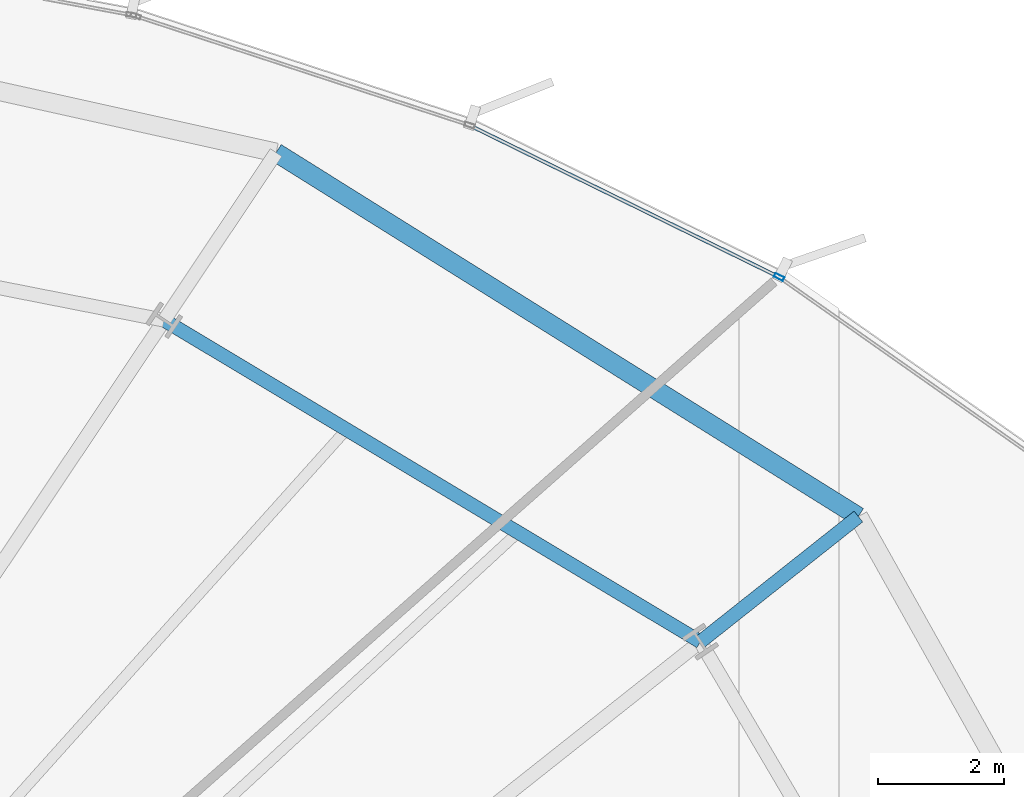
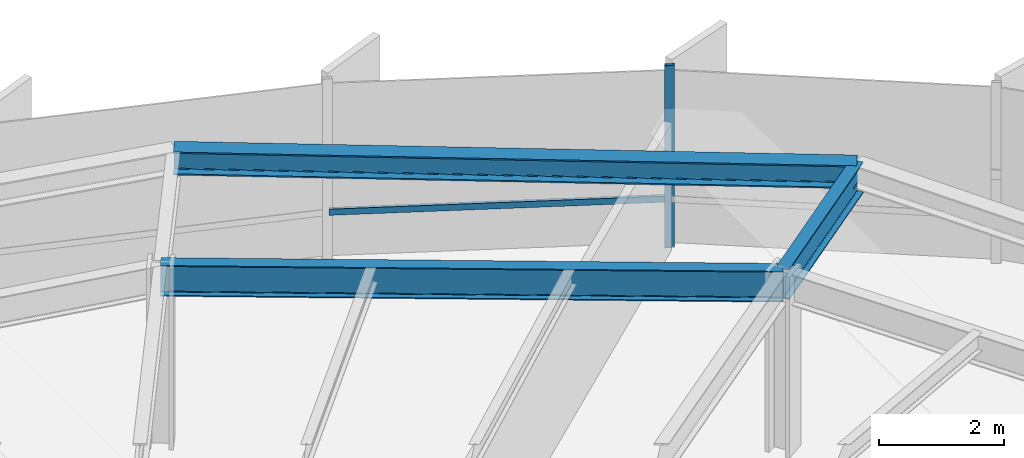
# One storey, part 26 of 38: 3 beams, 2 members, 1 element without a shape of its own.
"""IFC4 building model written with IfcOpenShell, lengths in metres."""

from ifc_helpers import new_model, si_unit, direction, frame, origin, origin_2d, place, context, subcontext, project, spatial, hollow_rectangle, i_section, extrude, source, transform, mapped, material, layer, layer_set, material_profile, profile_set, type_object, element, aggregate, save


model = new_model("IFC4")

# Units and contexts
model_context = context("Model", 3, precision=1e-05, world=origin(), true_north=direction((0.0, 1.0)))
body_context = subcontext(model_context, "Body", "Model", "MODEL_VIEW")
ifc_project = project(units=[si_unit("LENGTHUNIT", "METRE"), si_unit("AREAUNIT", "SQUARE_METRE"), si_unit("VOLUMEUNIT", "CUBIC_METRE"), si_unit("PLANEANGLEUNIT", "RADIAN"), si_unit("MASSUNIT", "GRAM", prefix="KILO"), si_unit("THERMODYNAMICTEMPERATUREUNIT", "KELVIN")], contexts=[model_context])

# Site, building, storey
site_placement = place(None, origin())
site = spatial("IfcSite", under=ifc_project, at=site_placement, CompositionType="ELEMENT")
building_placement = place(site_placement, origin())
building = spatial("IfcBuilding", under=site, at=building_placement, Name="Kethvar Cultural Tower", CompositionType="ELEMENT")
storey_placement = place(building_placement, frame((0.0, 0.0, 67.60009765625)))
storey = spatial("IfcBuildingStorey", under=building, at=storey_placement, Name="L16", CompositionType="ELEMENT", Elevation=67.60009765625)

# Beams
ifc_material_1 = material(Name="Steel S355J2", Category="steel")
ifc_material_profile_1 = material_profile(ifc_material_1, i_section(OverallWidth=0.219970703125, OverallDepth=0.60009765625, WebThickness=0.011962890625, FlangeThickness=0.01904296875, FilletRadius=0.02392578125, at=origin_2d()), Name="Steel S355J2 — IPE600")
ifc_profile_set_1 = profile_set([ifc_material_profile_1], Name="Steel S355J2 — IPE600")
beam_type_1 = type_object("IfcBeamType", Name="BM-IPE600", PredefinedType="BEAM", material=ifc_profile_set_1)
shared_shape_1 = source(origin(), body_context, "Body", "SweptSolid", [
    extrude(i_section(OverallWidth=0.219970703125, OverallDepth=0.60009765625, WebThickness=0.011962890625, FlangeThickness=0.01904296875, FilletRadius=0.02392578125, at=origin_2d()), origin(), (0.0, 0.0, 1.0), 3.199951171875),
])
beam_1_placement = place(storey_placement, frame((68.33642578125, 42.190185546875, 3.247802734375), z_axis=(0.783844666756, 0.62095695374, 0.0), x_axis=(-0.62095695374, 0.783844666756, 0.0)))
element("IfcBeam", 1, at=beam_1_placement, inside=storey, type_object=beam_type_1, Name="L16 Perimeter Cantilever Beam RC-02", PredefinedType="BEAM", context=body_context, shape_type="MappedRepresentation", body=[
    mapped(shared_shape_1, transform((0.0, 0.0, 0.0), scale=1.0)),
])
shared_shape_2 = source(origin(), body_context, "Body", "SweptSolid", [
    extrude(i_section(OverallWidth=0.219970703125, OverallDepth=0.60009765625, WebThickness=0.011962890625, FlangeThickness=0.01904296875, FilletRadius=0.02392578125, at=origin_2d()), origin(), (0.0, 0.0, 1.0), 9.924072265625),
])
beam_2_placement = place(storey_placement, frame((68.33642578125, 42.190185546875, 3.247802734375), z_axis=(-0.857664361463, 0.514209921215, 0.0), x_axis=(-0.514209921215, -0.857664361463, 0.0)))
element("IfcBeam", 2, at=beam_2_placement, inside=storey, type_object=beam_type_1, Name="L16 Column Ring Tie Beam CR-02", PredefinedType="BEAM", context=body_context, shape_type="MappedRepresentation", body=[
    mapped(shared_shape_2, transform((0.0, 0.0, 0.0), scale=1.0)),
])
ifc_material_profile_2 = material_profile(ifc_material_1, i_section(OverallWidth=0.300048828125, OverallDepth=0.449951171875, WebThickness=0.013916015625, FlangeThickness=0.02587890625, FilletRadius=0.027099609375, at=origin_2d()), Name="Steel S355J2 — HEB450")
ifc_profile_set_2 = profile_set([ifc_material_profile_2], Name="Steel S355J2 — HEB450")
beam_type_2 = type_object("IfcBeamType", Name="BM-SP450", PredefinedType="SPANDREL", material=ifc_profile_set_2)
shared_shape_3 = source(origin(), body_context, "Body", "SweptSolid", [
    extrude(i_section(OverallWidth=0.300048828125, OverallDepth=0.449951171875, WebThickness=0.013916015625, FlangeThickness=0.02587890625, FilletRadius=0.027099609375, at=origin_2d()), origin(), (0.0, 0.0, 1.0), 10.89892578125),
])
beam_3_placement = place(storey_placement, frame((70.8447265625, 44.17724609375, 3.322998046875), z_axis=(-0.847971875365, 0.530041223481, 0.0), x_axis=(-0.530041223481, -0.847971875365, 0.0)))
element("IfcBeam", 3, at=beam_3_placement, inside=storey, type_object=beam_type_2, Name="L16 Perimeter Spandrel Beam SP-02", PredefinedType="SPANDREL", context=body_context, shape_type="MappedRepresentation", body=[
    mapped(shared_shape_3, transform((0.0, 0.0, 0.0), scale=1.0)),
])

# Curtain wall, members
ifc_material_2 = material(Name="Aluminium 6063-T6", Category="aluminium")
ifc_layer = layer(ifc_material_2, 0.179931640625, Name="Aluminium 6063-T6", Category="aluminium")
ifc_layer_set = layer_set([ifc_layer], Name="Aluminium 6063-T6 (180 mm)")
curtain_wall_type = type_object("IfcCurtainWallType", Name="CW-SYS-02-Z1", PredefinedType="NOTDEFINED", material=ifc_layer_set)
curtain_wall_placement = place(storey_placement, origin())
curtain_wall = element("IfcCurtainWall", 4, at=curtain_wall_placement, inside=storey, type_object=curtain_wall_type, Name="L16 Curtain Wall Run 01", PredefinedType="NOTDEFINED")
ifc_material_profile_3 = material_profile(ifc_material_2, hollow_rectangle(XDim=0.06494140625, YDim=0.159912109375, WallThickness=0.0048828125, at=origin_2d()), Name="Aluminium 6063-T6 — RHS160x65x5")
ifc_profile_set_3 = profile_set([ifc_material_profile_3], Name="Aluminium 6063-T6 — RHS160x65x5")
member_type_1 = type_object("IfcMemberType", Name="CW-SYS-02-Z1-MUL", PredefinedType="MULLION", material=ifc_profile_set_3)
shared_shape_4 = source(origin(), body_context, "Body", "SweptSolid", [
    extrude(hollow_rectangle(XDim=0.06494140625, YDim=0.159912109375, WallThickness=0.0048828125, at=origin_2d()), origin(), (0.0, 0.0, 1.0), 3.5498046875),
])
member_1_placement = place(storey_placement, frame((69.586181640625, 47.97802734375, 0.0), z_axis=(0.0, 0.0, 1.0), x_axis=(-0.440189929307, -0.897904686555, 0.0)))
member_1 = element("IfcMember", 5, at=member_1_placement, type_object=member_type_1, Name="CW-L16-R01 Mullion 5", PredefinedType="MULLION", context=body_context, shape_type="MappedRepresentation", body=[
    mapped(shared_shape_4, transform((0.0, 0.0, 0.0), scale=1.0)),
])
ifc_material_profile_4 = material_profile(ifc_material_2, hollow_rectangle(XDim=0.054931640625, YDim=0.1201171875, WallThickness=0.00390625, at=origin_2d()), Name="Aluminium 6063-T6 — RHS120x55x4")
ifc_profile_set_4 = profile_set([ifc_material_profile_4], Name="Aluminium 6063-T6 — RHS120x55x4")
member_type_2 = type_object("IfcMemberType", Name="CW-SYS-02-Z1-TRN", PredefinedType="USERDEFINED", material=ifc_profile_set_4)
shared_shape_5 = source(origin(), body_context, "Body", "SweptSolid", [
    extrude(hollow_rectangle(XDim=0.054931640625, YDim=0.1201171875, WallThickness=0.00390625, at=origin_2d()), origin(), (0.0, 0.0, 1.0), 5.39453125),
])
member_2_placement = place(storey_placement, frame((69.544189453125, 47.998779296875, 0.949951171875), z_axis=(-0.897911603667, 0.440175819418, 0.0), x_axis=(-0.440175819418, -0.897911603667, 0.0)))
member_2 = element("IfcMember", 6, at=member_2_placement, type_object=member_type_2, Name="CW-L16-R01 Transom 5", ObjectType="TRANSOM", PredefinedType="USERDEFINED", context=body_context, shape_type="MappedRepresentation", body=[
    mapped(shared_shape_5, transform((0.0, 0.0, 0.0), scale=1.0)),
])
aggregate(curtain_wall, [member_1, member_2])

save(model, "model.ifc")
